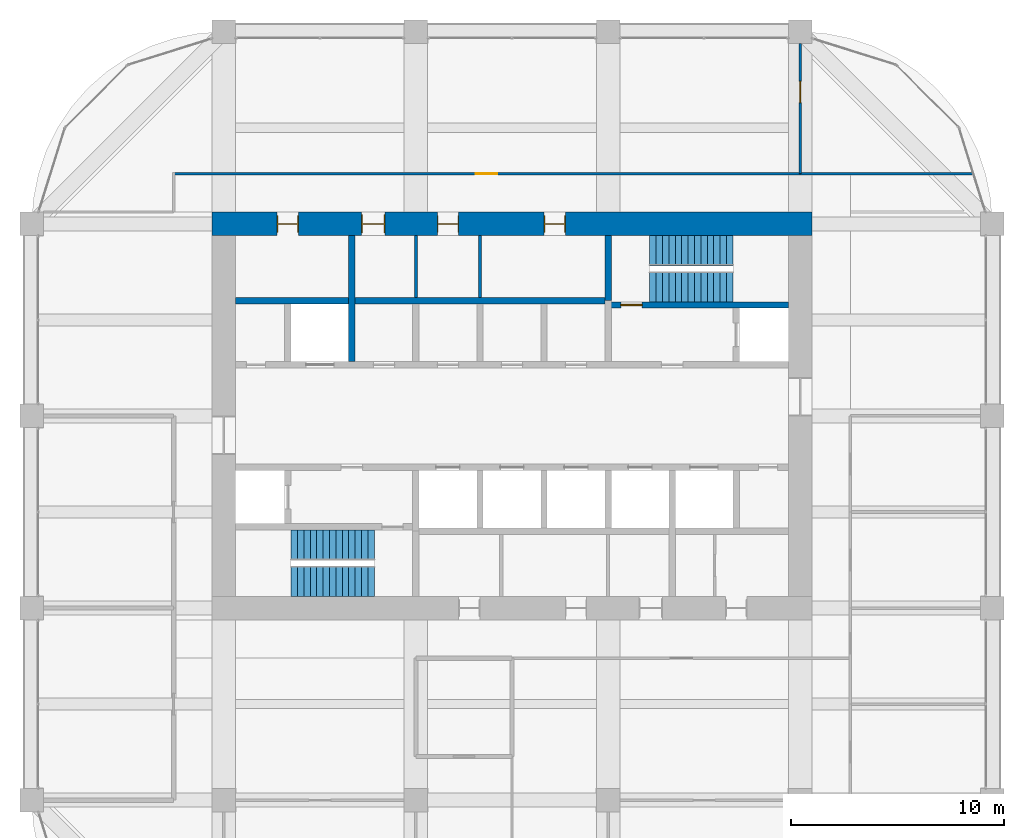
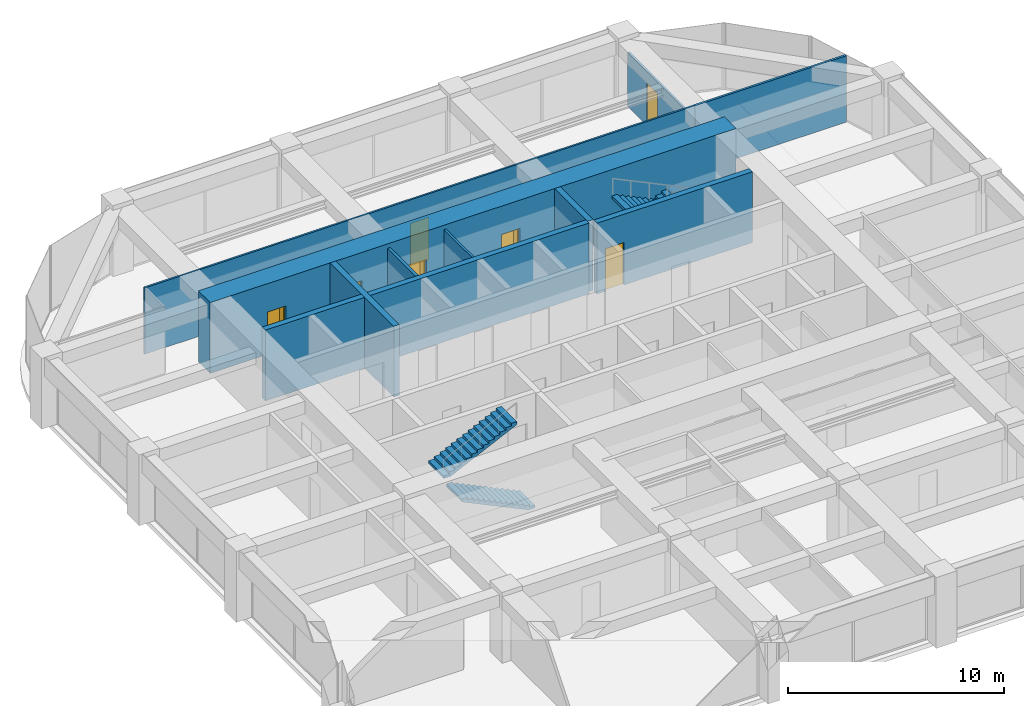
# One storey, part 43 of 44: 10 walls, 7 doors, 4 stair flights, 7 openings, 2 elements without a shape of their own.
"""IFC4 building model written with IfcOpenShell, lengths in metres."""

import ifcopenshell
import ifcopenshell.guid

model = None  # the IFC model being written
_history = None  # IfcOwnerHistory: only IFC2X3 demands one
_inside = {}  # id of a spatial element -> (the spatial element, [elements in it])
_under = {}  # id of a project, library or spatial element -> (it, [spatial elements below it])
_declared = {}  # id of a project -> (the project, [libraries it declares])
_typed = {}  # id of a type object -> (the type object, [elements of that type])
_made_of = {}  # id of a material, layer set ... -> (it, [elements and type objects made of it])


def new_model(schema):
    """Start an empty IFC model of exactly this schema.

    Asked for "IFC4X3", IfcOpenShell would pick the latest addendum, in which some entities
    have other attributes; the version numbers below select the first issue.
    IFC2X3 requires an IfcOwnerHistory on every rooted entity: one is made here for all.
    """
    global model, _history
    if schema == "IFC4X3":
        model = ifcopenshell.file(schema_version=(4, 3, 0, 0))
    else:
        model = ifcopenshell.file(schema=schema)
    _inside.clear()
    _under.clear()
    _declared.clear()
    _typed.clear()
    _made_of.clear()
    _history = None
    if model.schema == "IFC2X3":
        org = make("IfcOrganization", Name="unknown")
        user = make(
            "IfcPersonAndOrganization",
            ThePerson=make("IfcPerson", FamilyName="unknown"),
            TheOrganization=org,
        )
        app = make(
            "IfcApplication",
            ApplicationDeveloper=org,
            Version="unknown",
            ApplicationFullName="unknown",
            ApplicationIdentifier="unknown",
        )
        _history = make(
            "IfcOwnerHistory",
            OwningUser=user,
            OwningApplication=app,
            ChangeAction="ADDED",
            CreationDate=0,
        )
    return model


def make(cls, **values):
    """One entity of the class cls with the attributes given. An attribute that is None is left unset."""
    return model.create_entity(
        cls, **{name: value for name, value in values.items() if value is not None}
    )


def rooted(cls, **values):
    """An entity with a GlobalId (a new one), such as an element, a storey or a relation."""
    return make(cls, GlobalId=ifcopenshell.guid.new(), OwnerHistory=_history, **values)


def si_unit(unit_type, name, prefix=None):
    """IfcSIUnit, for example si_unit("LENGTHUNIT", "METRE", prefix="MILLI")."""
    return make("IfcSIUnit", UnitType=unit_type, Prefix=prefix, Name=name)


def assignment(units):
    """IfcUnitAssignment: the units of a project."""
    return None if units is None else make("IfcUnitAssignment", Units=units)


def point(xyz):
    """IfcCartesianPoint."""
    return None if xyz is None else make("IfcCartesianPoint", Coordinates=xyz)


def direction(xyz):
    """IfcDirection."""
    return None if xyz is None else make("IfcDirection", DirectionRatios=xyz)


def frame(location, z_axis=None, x_axis=None):
    """IfcAxis2Placement3D, a coordinate frame: its origin and axes. An axis left out is left unset."""
    return make(
        "IfcAxis2Placement3D",
        Location=point(location),
        Axis=direction(z_axis),
        RefDirection=direction(x_axis),
    )


def frame_2d(location, x_axis=None):
    """IfcAxis2Placement2D, a coordinate frame in the plane: its origin and x axis."""
    return make(
        "IfcAxis2Placement2D", Location=point(location), RefDirection=direction(x_axis)
    )


def origin():
    """The frame at (0, 0, 0) with its axes left unset."""
    return frame((0.0, 0.0, 0.0))


def place(relative_to, where):
    """IfcLocalPlacement: puts the frame where relative to a parent placement (None: the world)."""
    return make(
        "IfcLocalPlacement", PlacementRelTo=relative_to, RelativePlacement=where
    )


def context(
    kind, dimensions, precision=None, world=None, true_north=None, identifier=None
):
    """IfcGeometricRepresentationContext, for example the 3D "Model" context."""
    return make(
        "IfcGeometricRepresentationContext",
        ContextIdentifier=identifier,
        ContextType=kind,
        CoordinateSpaceDimension=dimensions,
        Precision=precision,
        WorldCoordinateSystem=world,
        TrueNorth=true_north,
    )


def subcontext(parent, identifier, kind, view, scale=None):
    """IfcGeometricRepresentationSubContext, for example "Body" below "Model"."""
    return make(
        "IfcGeometricRepresentationSubContext",
        ContextIdentifier=identifier,
        ContextType=kind,
        ParentContext=parent,
        TargetScale=scale,
        TargetView=view,
    )


def project(units=None, contexts=None):
    """IfcProject with its units and contexts."""
    return rooted(
        "IfcProject",
        Name="project",
        RepresentationContexts=contexts,
        UnitsInContext=assignment(units),
    )


def spatial(cls, under=None, at=None, **own):
    """A site, building, storey or space (cls), placed at a placement, below another one or the project."""
    s = rooted(cls, ObjectPlacement=at, **own)
    if under is not None:
        _under.setdefault(under.id(), (under, []))[1].append(s)
    return s


def polyline(points):
    """IfcPolyline through the points."""
    return make("IfcPolyline", Points=[point(p) for p in points])


def profile(cls, at=None, kind="AREA", **sizes):
    """A parametric profile (cls). Its sizes go by their IFC names, for example OverallWidth=200.0."""
    return make(cls, ProfileType=kind, Position=at, **sizes)


def rectangle(**sizes):
    """IfcRectangleProfileDef."""
    return profile("IfcRectangleProfileDef", **sizes)


def outline(outer, holes=None, kind="AREA"):
    """IfcArbitraryClosedProfileDef: a profile drawn as a closed curve; with holes, ...WithVoids."""
    if holes is None:
        return make("IfcArbitraryClosedProfileDef", ProfileType=kind, OuterCurve=outer)
    return make(
        "IfcArbitraryProfileDefWithVoids",
        ProfileType=kind,
        OuterCurve=outer,
        InnerCurves=holes,
    )


def extrude(swept, where, along, depth):
    """IfcExtrudedAreaSolid: the profile swept, set in the frame where, extruded along a direction by depth."""
    return make(
        "IfcExtrudedAreaSolid",
        SweptArea=swept,
        Position=where,
        ExtrudedDirection=direction(along),
        Depth=depth,
    )


def shape(context_of_items, identifier, shape_type, items):
    """IfcShapeRepresentation: the items that make up one representation, for example the "Body"."""
    return make(
        "IfcShapeRepresentation",
        ContextOfItems=context_of_items,
        RepresentationIdentifier=identifier,
        RepresentationType=shape_type,
        Items=items,
    )


def material(Name=None, Category=None):
    """IfcMaterial."""
    return make("IfcMaterial", Name=Name, Category=Category)


def layer(
    of_material, thickness, ventilated=None, Name=None, Category=None, Priority=None
):
    """IfcMaterialLayer: one layer of a wall or slab, of a material (None: an air gap)."""
    return make(
        "IfcMaterialLayer",
        Material=of_material,
        LayerThickness=thickness,
        IsVentilated=ventilated,
        Name=Name,
        Category=Category,
        Priority=Priority,
    )


def layer_set(layers, Name=None):
    """IfcMaterialLayerSet."""
    return make("IfcMaterialLayerSet", MaterialLayers=layers, LayerSetName=Name)


def made_of(thing, what):
    """Note that an element or type object is made of a material, layer set ...; save() writes the relation."""
    if what is not None:
        _made_of.setdefault(what.id(), (what, []))[1].append(thing)
    return thing


def type_object(cls, material=None, **own):
    """A type object (cls), such as IfcWallType, which elements share."""
    return made_of(rooted(cls, **own), material)


def element(
    cls,
    number,
    at=None,
    inside=None,
    cuts=None,
    type_object=None,
    material=None,
    context=None,
    identifier="Body",
    shape_type=None,
    held_by="IfcProductDefinitionShape",
    body=None,
    shapes=None,
    **own,
):
    """One element of the class cls, such as IfcWall. Its Tag is "e" and its number.

    at: its placement. inside: the storey or other place that contains it. cuts: it is an
    opening in that element (IfcRelVoidsElement). A single representation is given by context,
    identifier, shape_type and body (its items); several are given by shapes. held_by: the class
    of the entity that holds the representations. save() writes the other relations.
    """
    e = rooted(cls, Tag="e%d" % number, ObjectPlacement=at, **own)
    if body is not None:
        shapes = [shape(context, identifier, shape_type, body)]
    if shapes is not None:
        e.Representation = make(held_by, Representations=shapes)
    if inside is not None:
        _inside.setdefault(inside.id(), (inside, []))[1].append(e)
    if cuts is not None:
        rooted(
            "IfcRelVoidsElement", RelatingBuildingElement=cuts, RelatedOpeningElement=e
        )
    if type_object is not None:
        _typed.setdefault(type_object.id(), (type_object, []))[1].append(e)
    return made_of(e, material)


def fill(opening, filler):
    """IfcRelFillsElement: the door or window that sits in an opening."""
    return rooted(
        "IfcRelFillsElement",
        RelatingOpeningElement=opening,
        RelatedBuildingElement=filler,
    )


def aggregate(whole, parts):
    """IfcRelAggregates: a whole, such as a stair, and the parts it consists of."""
    return rooted("IfcRelAggregates", RelatingObject=whole, RelatedObjects=parts)


def save(model, path):
    """Write the relations noted so far, then the file.

    IfcRelAggregates (storeys below a building ...), IfcRelContainedInSpatialStructure (elements
    in a storey), IfcRelDefinesByType, IfcRelAssociatesMaterial and IfcRelDeclares: one each for
    every whole, place, type object, material and project.
    """
    for whole, parts in _under.values():
        aggregate(whole, parts)
    for where, things in _inside.values():
        rooted(
            "IfcRelContainedInSpatialStructure",
            RelatedElements=things,
            RelatingStructure=where,
        )
    for kind, things in _typed.values():
        rooted("IfcRelDefinesByType", RelatedObjects=things, RelatingType=kind)
    for what, things in _made_of.values():
        rooted("IfcRelAssociatesMaterial", RelatedObjects=things, RelatingMaterial=what)
    for by, libraries in _declared.values():
        rooted("IfcRelDeclares", RelatingContext=by, RelatedDefinitions=libraries)
    model.write(path)


model = new_model("IFC4")

# Units and contexts
model_context = context("Model", 3, precision=1e-05, world=origin(), true_north=direction((0.0, 1.0)))
body_context = subcontext(model_context, "Body", "Model", "MODEL_VIEW")
ifc_project = project(units=[si_unit("LENGTHUNIT", "METRE"), si_unit("AREAUNIT", "SQUARE_METRE"), si_unit("VOLUMEUNIT", "CUBIC_METRE"), si_unit("PLANEANGLEUNIT", "RADIAN"), si_unit("MASSUNIT", "GRAM", prefix="KILO")], contexts=[model_context])

# Site, building, storey
site_placement = place(None, origin())
site = spatial("IfcSite", under=ifc_project, at=site_placement, CompositionType="ELEMENT")
building_placement = place(site_placement, origin())
building = spatial("IfcBuilding", under=site, at=building_placement, Name="Zorevar Civic Tower", CompositionType="ELEMENT")
storey_placement = place(building_placement, frame((0.0, 0.0, 267.39990234375)))
storey = spatial("IfcBuildingStorey", under=building, at=storey_placement, Name="L65", CompositionType="ELEMENT", Elevation=267.39990234375)

# Wall, openings, doors
ifc_material_1 = material(Name="Concrete C50/60", Category="concrete")
ifc_layer_1 = layer(ifc_material_1, 1.10009765625)
ifc_layer_set_1 = layer_set([ifc_layer_1], Name="Core wall 1100")
wall_type_1 = type_object("IfcWallType", Name="Core wall 1100", PredefinedType="SHEAR", material=ifc_layer_set_1)
wall_1_placement = place(storey_placement, frame((45.550048828125, 36.0, 0.0), z_axis=(0.0, 0.0, 1.0), x_axis=(-1.0, 0.0, 0.0)))
wall_1 = element("IfcWall", 1, at=wall_1_placement, inside=storey, type_object=wall_type_1, Name="Core wall N L65", PredefinedType="SHEAR", context=body_context, shape_type="SweptSolid", body=[
    extrude(rectangle(XDim=28.10009765625, YDim=1.10009765625, at=frame_2d((14.050048828125, 0.0))), origin(), (0.0, 0.0, 1.0), 4.0),
])
opening_1_placement = place(wall_1_placement, frame((11.550048828125, 0.0, 0.0)))
opening_1 = element("IfcOpeningElement", 2, at=opening_1_placement, cuts=wall_1, Name="Opening L65.07", PredefinedType="OPENING", context=body_context, shape_type="SweptSolid", body=[
    extrude(rectangle(XDim=1.0, YDim=2.39990234375, at=frame_2d((0.5, 1.199951171875))), frame((0.0, 0.56005859375, 0.0), z_axis=(0.0, -1.0, 0.0), x_axis=(1.0, 0.0, 0.0)), (0.0, 0.0, 1.0), 1.1201171875),
])
opening_2_placement = place(wall_1_placement, frame((16.550048828125, 0.0, 0.0)))
opening_2 = element("IfcOpeningElement", 3, at=opening_2_placement, cuts=wall_1, Name="Opening L65.08", PredefinedType="OPENING", context=body_context, shape_type="SweptSolid", body=[
    extrude(rectangle(XDim=1.0, YDim=2.39990234375, at=frame_2d((0.5, 1.199951171875))), frame((0.0, 0.56005859375, 0.0), z_axis=(0.0, -1.0, 0.0), x_axis=(1.0, 0.0, 0.0)), (0.0, 0.0, 1.0), 1.1201171875),
])
opening_3_placement = place(wall_1_placement, frame((20.0, 0.0, 0.0)))
opening_3 = element("IfcOpeningElement", 4, at=opening_3_placement, cuts=wall_1, Name="Opening L65.09", PredefinedType="OPENING", context=body_context, shape_type="SweptSolid", body=[
    extrude(rectangle(XDim=1.10009765625, YDim=2.39990234375, at=frame_2d((0.550048828125, 1.199951171875))), frame((0.0, 0.56005859375, 0.0), z_axis=(0.0, -1.0, 0.0), x_axis=(1.0, 0.0, 0.0)), (0.0, 0.0, 1.0), 1.1201171875),
])
opening_4_placement = place(wall_1_placement, frame((24.050048828125, 0.0, 0.0)))
opening_4 = element("IfcOpeningElement", 5, at=opening_4_placement, cuts=wall_1, Name="Opening L65.10", PredefinedType="OPENING", context=body_context, shape_type="SweptSolid", body=[
    extrude(rectangle(XDim=1.0, YDim=2.39990234375, at=frame_2d((0.5, 1.199951171875))), frame((0.0, 0.56005859375, 0.0), z_axis=(0.0, -1.0, 0.0), x_axis=(1.0, 0.0, 0.0)), (0.0, 0.0, 1.0), 1.1201171875),
])
ifc_material_2 = material(Name="Timber door set", Category="wood")
door_type_1 = type_object("IfcDoorType", Name="Door D1 1000x2400", OperationType="SINGLE_SWING_LEFT", PredefinedType="DOOR", material=ifc_material_2)
door_1_placement = place(opening_1_placement, origin())
door_1 = element("IfcDoor", 6, at=door_1_placement, inside=storey, type_object=door_type_1, Name="Door L65 06", OperationType="SINGLE_SWING_LEFT", OverallHeight=2.39990234375, OverallWidth=1.0, PredefinedType="DOOR", context=body_context, shape_type="SweptSolid", body=[
    extrude(rectangle(XDim=1.0, YDim=2.39990234375, at=frame_2d((0.5, 1.199951171875))), frame((0.0, 0.02490234375, 0.0), z_axis=(0.0, -1.0, 0.0), x_axis=(1.0, 0.0, 0.0)), (0.0, 0.0, 1.0), 0.050048828125),
    extrude(rectangle(XDim=0.04, YDim=2.39990234375, at=frame_2d((0.02001953125, 1.199951171875))), frame((0.0, 0.39990234375, 0.0), z_axis=(0.0, -1.0, 0.0), x_axis=(1.0, 0.0, 0.0)), (0.0, 0.0, 1.0), 0.800048828125),
    extrude(rectangle(XDim=0.04, YDim=2.39990234375, at=frame_2d((0.97998046875, 1.199951171875))), frame((0.0, 0.39990234375, 0.0), z_axis=(0.0, -1.0, 0.0), x_axis=(1.0, 0.0, 0.0)), (0.0, 0.0, 1.0), 0.800048828125),
    extrude(rectangle(XDim=1.0, YDim=0.04, at=frame_2d((0.5, 2.3798828125))), frame((0.0, 0.39990234375, 0.0), z_axis=(0.0, -1.0, 0.0), x_axis=(1.0, 0.0, 0.0)), (0.0, 0.0, 1.0), 0.800048828125),
])
fill(opening_1, door_1)
door_2_placement = place(opening_2_placement, origin())
door_2 = element("IfcDoor", 7, at=door_2_placement, inside=storey, type_object=door_type_1, Name="Door L65 07", OperationType="SINGLE_SWING_RIGHT", OverallHeight=2.39990234375, OverallWidth=1.0, PredefinedType="DOOR", context=body_context, shape_type="SweptSolid", body=[
    extrude(rectangle(XDim=1.0, YDim=2.39990234375, at=frame_2d((0.5, 1.199951171875))), frame((0.0, 0.02490234375, 0.0), z_axis=(0.0, -1.0, 0.0), x_axis=(1.0, 0.0, 0.0)), (0.0, 0.0, 1.0), 0.050048828125),
    extrude(rectangle(XDim=0.04, YDim=2.39990234375, at=frame_2d((0.02001953125, 1.199951171875))), frame((0.0, 0.39990234375, 0.0), z_axis=(0.0, -1.0, 0.0), x_axis=(1.0, 0.0, 0.0)), (0.0, 0.0, 1.0), 0.800048828125),
    extrude(rectangle(XDim=0.04, YDim=2.39990234375, at=frame_2d((0.97998046875, 1.199951171875))), frame((0.0, 0.39990234375, 0.0), z_axis=(0.0, -1.0, 0.0), x_axis=(1.0, 0.0, 0.0)), (0.0, 0.0, 1.0), 0.800048828125),
    extrude(rectangle(XDim=1.0, YDim=0.04, at=frame_2d((0.5, 2.3798828125))), frame((0.0, 0.39990234375, 0.0), z_axis=(0.0, -1.0, 0.0), x_axis=(1.0, 0.0, 0.0)), (0.0, 0.0, 1.0), 0.800048828125),
])
fill(opening_2, door_2)
door_3_placement = place(opening_4_placement, origin())
door_3 = element("IfcDoor", 8, at=door_3_placement, inside=storey, type_object=door_type_1, Name="Door L65 09", OperationType="SINGLE_SWING_RIGHT", OverallHeight=2.39990234375, OverallWidth=1.0, PredefinedType="DOOR", context=body_context, shape_type="SweptSolid", body=[
    extrude(rectangle(XDim=1.0, YDim=2.39990234375, at=frame_2d((0.5, 1.199951171875))), frame((0.0, 0.02490234375, 0.0), z_axis=(0.0, -1.0, 0.0), x_axis=(1.0, 0.0, 0.0)), (0.0, 0.0, 1.0), 0.050048828125),
    extrude(rectangle(XDim=0.04, YDim=2.39990234375, at=frame_2d((0.02001953125, 1.199951171875))), frame((0.0, 0.39990234375, 0.0), z_axis=(0.0, -1.0, 0.0), x_axis=(1.0, 0.0, 0.0)), (0.0, 0.0, 1.0), 0.800048828125),
    extrude(rectangle(XDim=0.04, YDim=2.39990234375, at=frame_2d((0.97998046875, 1.199951171875))), frame((0.0, 0.39990234375, 0.0), z_axis=(0.0, -1.0, 0.0), x_axis=(1.0, 0.0, 0.0)), (0.0, 0.0, 1.0), 0.800048828125),
    extrude(rectangle(XDim=1.0, YDim=0.04, at=frame_2d((0.5, 2.3798828125))), frame((0.0, 0.39990234375, 0.0), z_axis=(0.0, -1.0, 0.0), x_axis=(1.0, 0.0, 0.0)), (0.0, 0.0, 1.0), 0.800048828125),
])
fill(opening_4, door_3)
ifc_material_3 = material(Name="Timber door set", Category="wood")
door_type_2 = type_object("IfcDoorType", Name="Door D5 1100x2400", OperationType="SINGLE_SWING_LEFT", PredefinedType="DOOR", material=ifc_material_3)
door_4_placement = place(opening_3_placement, origin())
door_4 = element("IfcDoor", 9, at=door_4_placement, inside=storey, type_object=door_type_2, Name="Door L65 08", OperationType="SINGLE_SWING_RIGHT", OverallHeight=2.39990234375, OverallWidth=1.10009765625, PredefinedType="DOOR", context=body_context, shape_type="SweptSolid", body=[
    extrude(rectangle(XDim=1.10009765625, YDim=2.39990234375, at=frame_2d((0.550048828125, 1.199951171875))), frame((0.0, 0.02490234375, 0.0), z_axis=(0.0, -1.0, 0.0), x_axis=(1.0, 0.0, 0.0)), (0.0, 0.0, 1.0), 0.050048828125),
    extrude(rectangle(XDim=0.04, YDim=2.39990234375, at=frame_2d((0.02001953125, 1.199951171875))), frame((0.0, 0.43994140625, 0.0), z_axis=(0.0, -1.0, 0.0), x_axis=(1.0, 0.0, 0.0)), (0.0, 0.0, 1.0), 0.880126953125),
    extrude(rectangle(XDim=0.04, YDim=2.39990234375, at=frame_2d((1.080078125, 1.199951171875))), frame((0.0, 0.43994140625, 0.0), z_axis=(0.0, -1.0, 0.0), x_axis=(1.0, 0.0, 0.0)), (0.0, 0.0, 1.0), 0.880126953125),
    extrude(rectangle(XDim=1.10009765625, YDim=0.04, at=frame_2d((0.550048828125, 2.3798828125))), frame((0.0, 0.43994140625, 0.0), z_axis=(0.0, -1.0, 0.0), x_axis=(1.0, 0.0, 0.0)), (0.0, 0.0, 1.0), 0.880126953125),
])
fill(opening_3, door_4)

# Wall, opening, door
ifc_material_4 = material(Name="Laminated glass in black aluminium frame", Category="aluminium")
ifc_layer_2 = layer(ifc_material_4, 0.10009765625)
ifc_layer_set_2 = layer_set([ifc_layer_2], Name="Glazed partition 100")
wall_type_2 = type_object("IfcWallType", Name="Glazed partition 100", PredefinedType="PARTITIONING", material=ifc_layer_set_2)
wall_2_placement = place(storey_placement, frame((15.60009765625, 38.35009765625, 0.0), z_axis=(0.0, 0.0, 1.0), x_axis=(1.0, 0.0, 0.0)))
wall_2 = element("IfcWall", 10, at=wall_2_placement, inside=storey, type_object=wall_type_2, Name="Glazed partition 100 L65", PredefinedType="PARTITIONING", context=body_context, shape_type="SweptSolid", body=[
    extrude(rectangle(XDim=29.39990234375, YDim=0.10009765625, at=frame_2d((14.699951171875, 0.0))), origin(), (0.0, 0.0, 1.0), 3.75),
])
opening_5_placement = place(wall_2_placement, frame((14.199951171875, 0.0, 0.0)))
opening_5 = element("IfcOpeningElement", 11, at=opening_5_placement, cuts=wall_2, Name="Opening L65.21", PredefinedType="OPENING", context=body_context, shape_type="SweptSolid", body=[
    extrude(rectangle(XDim=1.0, YDim=2.39990234375, at=frame_2d((0.5, 1.199951171875))), frame((0.0, 0.06005859375, 0.0), z_axis=(0.0, -1.0, 0.0), x_axis=(1.0, 0.0, 0.0)), (0.0, 0.0, 1.0), 0.1201171875),
])
ifc_material_5 = material(Name="Timber door set", Category="wood")
door_type_3 = type_object("IfcDoorType", Name="Glazed door GD1 1000x2400", OperationType="SINGLE_SWING_LEFT", PredefinedType="DOOR", material=ifc_material_5)
door_5_placement = place(opening_5_placement, origin())
door_5 = element("IfcDoor", 12, at=door_5_placement, inside=storey, type_object=door_type_3, Name="Door L65 D1", OperationType="SINGLE_SWING_LEFT", OverallHeight=2.39990234375, OverallWidth=1.0, PredefinedType="DOOR", context=body_context, shape_type="SweptSolid", body=[
    extrude(rectangle(XDim=1.0, YDim=2.39990234375, at=frame_2d((0.5, 1.199951171875))), frame((0.0, 0.02001953125, 0.0), z_axis=(0.0, -1.0, 0.0), x_axis=(1.0, 0.0, 0.0)), (0.0, 0.0, 1.0), 0.0400390625),
])
fill(opening_5, door_5)

ifc_material_6 = material(Name="Concrete C40/50", Category="concrete")
ifc_layer_3 = layer(ifc_material_6, 0.300048828125)
ifc_layer_set_3 = layer_set([ifc_layer_3], Name="Inner core wall 300")
wall_type_3 = type_object("IfcWallType", Name="Inner core wall 300", PredefinedType="SHEAR", material=ifc_layer_set_3)
wall_3_placement = place(storey_placement, frame((36.14990234375, 32.199951171875, 0.0), z_axis=(0.0, 0.0, 1.0), x_axis=(1.0, 0.0, 0.0)))
wall_3 = element("IfcWall", 13, at=wall_3_placement, inside=storey, type_object=wall_type_3, Name="Inner core wall N00 L65", PredefinedType="SHEAR", context=body_context, shape_type="SweptSolid", body=[
    extrude(rectangle(XDim=8.300048828125, YDim=0.300048828125, at=frame_2d((4.14990234375, 0.0))), origin(), (0.0, 0.0, 1.0), 4.0),
])
opening_6_placement = place(wall_3_placement, frame((0.449951171875, 0.0, 0.0)))
opening_6 = element("IfcOpeningElement", 14, at=opening_6_placement, cuts=wall_3, Name="Opening L65.12", PredefinedType="OPENING", context=body_context, shape_type="SweptSolid", body=[
    extrude(rectangle(XDim=1.0, YDim=2.39990234375, at=frame_2d((0.5, 1.199951171875))), frame((0.0, 0.159912109375, 0.0), z_axis=(0.0, -1.0, 0.0), x_axis=(1.0, 0.0, 0.0)), (0.0, 0.0, 1.0), 0.320068359375),
])
ifc_material_7 = material(Name="Steel door set", Category="steel")
door_type_4 = type_object("IfcDoorType", Name="Fire door FD1 1000x2400", OperationType="SINGLE_SWING_LEFT", PredefinedType="DOOR", material=ifc_material_7)
door_6_placement = place(opening_6_placement, origin())
door_6 = element("IfcDoor", 15, at=door_6_placement, inside=storey, type_object=door_type_4, Name="Door L65 11", OperationType="SINGLE_SWING_RIGHT", OverallHeight=2.39990234375, OverallWidth=1.0, PredefinedType="DOOR", context=body_context, shape_type="SweptSolid", body=[
    extrude(rectangle(XDim=1.0, YDim=2.39990234375, at=frame_2d((0.5, 1.199951171875))), frame((0.0, 0.030029296875, 0.0), z_axis=(0.0, -1.0, 0.0), x_axis=(1.0, 0.0, 0.0)), (0.0, 0.0, 1.0), 0.06005859375),
])
fill(opening_6, door_6)

# Walls
wall_4_placement = place(storey_placement, frame((36.0, 32.39990234375, 0.0), z_axis=(0.0, 0.0, 1.0), x_axis=(0.0, 1.0, 0.0)))
element("IfcWall", 16, at=wall_4_placement, inside=storey, type_object=wall_type_3, Name="Inner core wall N01 L65", PredefinedType="SHEAR", context=body_context, shape_type="SweptSolid", body=[
    extrude(rectangle(XDim=3.050048828125, YDim=0.300048828125, at=frame_2d((1.52490234375, 0.0))), origin(), (0.0, 0.0, 1.0), 4.0),
])
wall_5_placement = place(storey_placement, frame((18.550048828125, 32.39990234375, 0.0), z_axis=(0.0, 0.0, 1.0), x_axis=(1.0, 0.0, 0.0)))
element("IfcWall", 17, at=wall_5_placement, inside=storey, type_object=wall_type_3, Name="Inner core wall N04 L65", PredefinedType="SHEAR", context=body_context, shape_type="SweptSolid", body=[
    extrude(rectangle(XDim=17.300048828125, YDim=0.300048828125, at=frame_2d((8.64990234375, 0.0))), origin(), (0.0, 0.0, 1.0), 4.0),
])
wall_6_placement = place(storey_placement, frame((24.0, 29.550048828125, 0.0), z_axis=(0.0, 0.0, 1.0), x_axis=(0.0, 1.0, 0.0)))
element("IfcWall", 18, at=wall_6_placement, inside=storey, type_object=wall_type_3, Name="Inner core wall N08 L65", PredefinedType="SHEAR", context=body_context, shape_type="SweptSolid", body=[
    extrude(rectangle(XDim=5.89990234375, YDim=0.300048828125, at=frame_2d((2.949951171875, 0.0))), origin(), (0.0, 0.0, 1.0), 4.0),
])
ifc_material_8 = material(Name="Gypsum board on steel studs", Category="steel")
ifc_layer_4 = layer(ifc_material_8, 0.1201171875)
ifc_layer_set_4 = layer_set([ifc_layer_4], Name="Partition 120")
wall_type_4 = type_object("IfcWallType", Name="Partition 120", PredefinedType="PARTITIONING", material=ifc_layer_set_4)
wall_7_placement = place(storey_placement, frame((45.0, 38.35009765625, 0.0), z_axis=(0.0, 0.0, 1.0), x_axis=(1.0, 0.0, 0.0)))
element("IfcWall", 19, at=wall_7_placement, inside=storey, type_object=wall_type_4, Name="Partition 120 L65", PredefinedType="PARTITIONING", context=body_context, shape_type="SweptSolid", body=[
    extrude(rectangle(XDim=8.082275390625, YDim=0.1201171875, at=frame_2d((4.041015625, 0.0))), origin(), (0.0, 0.0, 1.0), 3.75),
])

# Wall, opening, door
wall_8_placement = place(storey_placement, frame((45.0, 38.35009765625, 0.0), z_axis=(0.0, 0.0, 1.0), x_axis=(0.0, 1.0, 0.0)))
wall_8 = element("IfcWall", 20, at=wall_8_placement, inside=storey, type_object=wall_type_4, Name="Partition 120 L65", PredefinedType="PARTITIONING", context=body_context, shape_type="SweptSolid", body=[
    extrude(rectangle(XDim=6.099853515625, YDim=0.1201171875, at=frame_2d((3.0498046875, 0.0))), origin(), (0.0, 0.0, 1.0), 3.050048828125),
])
opening_7_placement = place(wall_8_placement, frame((3.324951171875, 0.0, 0.0)))
opening_7 = element("IfcOpeningElement", 21, at=opening_7_placement, cuts=wall_8, Name="Opening L65.24", PredefinedType="OPENING", context=body_context, shape_type="SweptSolid", body=[
    extrude(rectangle(XDim=1.0, YDim=2.39990234375, at=frame_2d((0.5, 1.199951171875))), frame((0.0, 0.070068359375, 0.0), z_axis=(0.0, -1.0, 0.0), x_axis=(1.0, 0.0, 0.0)), (0.0, 0.0, 1.0), 0.14013671875),
])
door_7_placement = place(opening_7_placement, origin())
door_7 = element("IfcDoor", 22, at=door_7_placement, inside=storey, type_object=door_type_1, Name="Door L65 D1", OperationType="SINGLE_SWING_LEFT", OverallHeight=2.39990234375, OverallWidth=1.0, PredefinedType="DOOR", context=body_context, shape_type="SweptSolid", body=[
    extrude(rectangle(XDim=1.0, YDim=2.39990234375, at=frame_2d((0.5, 1.199951171875))), frame((0.0, 0.02490234375, 0.0), z_axis=(0.0, -1.0, 0.0), x_axis=(1.0, 0.0, 0.0)), (0.0, 0.0, 1.0), 0.050048828125),
])
fill(opening_7, door_7)

# Walls
wall_9_placement = place(storey_placement, frame((30.0, 32.550048828125, 0.0), z_axis=(0.0, 0.0, 1.0), x_axis=(0.0, 1.0, 0.0)))
element("IfcWall", 23, at=wall_9_placement, inside=storey, type_object=wall_type_4, Name="Partition L65", PredefinedType="PARTITIONING", context=body_context, shape_type="SweptSolid", body=[
    extrude(rectangle(XDim=2.89990234375, YDim=0.1201171875, at=frame_2d((1.449951171875, 0.0))), origin(), (0.0, 0.0, 1.0), 3.75),
])
ifc_material_9 = material(Name="Gypsum board on steel studs, moisture resistant", Category="steel")
ifc_layer_5 = layer(ifc_material_9, 0.14990234375)
ifc_layer_set_5 = layer_set([ifc_layer_5], Name="WC partition 150")
wall_type_5 = type_object("IfcWallType", Name="WC partition 150", PredefinedType="PARTITIONING", material=ifc_layer_set_5)
wall_10_placement = place(storey_placement, frame((27.0, 32.550048828125, 0.0), z_axis=(0.0, 0.0, 1.0), x_axis=(0.0, 1.0, 0.0)))
element("IfcWall", 24, at=wall_10_placement, inside=storey, type_object=wall_type_5, Name="WC partition L65", PredefinedType="PARTITIONING", context=body_context, shape_type="SweptSolid", body=[
    extrude(rectangle(XDim=2.89990234375, YDim=0.14990234375, at=frame_2d((1.449951171875, 0.0))), origin(), (0.0, 0.0, 1.0), 3.75),
])

# Stair, stair flights
ifc_material_10 = material(Name="Precast concrete C40/50", Category="concrete")
stair_type = type_object("IfcStairType", Name="Stair ST 28R", PredefinedType="HALF_TURN_STAIR", material=ifc_material_10)
stair_1_placement = place(storey_placement, origin())
stair_1 = element("IfcStair", 25, at=stair_1_placement, inside=storey, type_object=stair_type, Name="Stair ST1 L65", PredefinedType="HALF_TURN_STAIR")
ifc_material_11 = material(Name="Precast concrete C40/50", Category="concrete")
stair_flight_type = type_object("IfcStairFlightType", Name="Stair flight", PredefinedType="STRAIGHT", material=ifc_material_11)
stair_flight_1_placement = place(storey_placement, frame((25.050048828125, 19.262451171875, 0.0), z_axis=(0.0, 0.0, 1.0), x_axis=(-1.0, 0.0, 0.0)))
stair_flight_1 = element("IfcStairFlight", 26, at=stair_flight_1_placement, type_object=stair_flight_type, Name="ST1 flight 1", NumberOfRisers=14, NumberOfTreads=13, PredefinedType="STRAIGHT", RiserHeight=0.142857143, TreadLength=0.3, context=body_context, shape_type="SweptSolid", body=[
    extrude(outline(polyline([(0.0, 0.0), (0.0, 0.142822265625), (0.300048828125, 0.142822265625), (0.300048828125, 0.28564453125), (0.60009765625, 0.28564453125), (0.60009765625, 0.428466796875), (0.89990234375, 0.428466796875), (0.89990234375, 0.571533203125), (1.199951171875, 0.571533203125), (1.199951171875, 0.71435546875), (1.5, 0.71435546875), (1.5, 0.857177734375), (1.800048828125, 0.857177734375), (1.800048828125, 1.0), (2.10009765625, 1.0), (2.10009765625, 1.142822265625), (2.39990234375, 1.142822265625), (2.39990234375, 1.28564453125), (2.699951171875, 1.28564453125), (2.699951171875, 1.428466796875), (3.0, 1.428466796875), (3.0, 1.571533203125), (3.300048828125, 1.571533203125), (3.300048828125, 1.71435546875), (3.60009765625, 1.71435546875), (3.60009765625, 1.857177734375), (3.89990234375, 1.857177734375), (3.89990234375, 2.0), (3.89990234375, 1.691162109375), (0.3486328125, 0.0), (0.0, 0.0)])), frame((0.0, 0.71240234375, 0.0), z_axis=(0.0, -1.0, 0.0), x_axis=(1.0, 0.0, 0.0)), (0.0, 0.0, 1.0), 1.425048828125),
])
stair_flight_2_placement = place(storey_placement, frame((21.14990234375, 20.9375, 2.0), z_axis=(0.0, 0.0, 1.0), x_axis=(1.0, 0.0, 0.0)))
stair_flight_2 = element("IfcStairFlight", 27, at=stair_flight_2_placement, type_object=stair_flight_type, Name="ST1 flight 2", NumberOfRisers=14, NumberOfTreads=13, PredefinedType="STRAIGHT", RiserHeight=0.142857143, TreadLength=0.3, context=body_context, shape_type="SweptSolid", body=[
    extrude(outline(polyline([(0.0, 0.0), (0.0, 0.142822265625), (0.300048828125, 0.142822265625), (0.300048828125, 0.28564453125), (0.60009765625, 0.28564453125), (0.60009765625, 0.428466796875), (0.89990234375, 0.428466796875), (0.89990234375, 0.571533203125), (1.199951171875, 0.571533203125), (1.199951171875, 0.71435546875), (1.5, 0.71435546875), (1.5, 0.857177734375), (1.800048828125, 0.857177734375), (1.800048828125, 1.0), (2.10009765625, 1.0), (2.10009765625, 1.142822265625), (2.39990234375, 1.142822265625), (2.39990234375, 1.28564453125), (2.699951171875, 1.28564453125), (2.699951171875, 1.428466796875), (3.0, 1.428466796875), (3.0, 1.571533203125), (3.300048828125, 1.571533203125), (3.300048828125, 1.71435546875), (3.60009765625, 1.71435546875), (3.60009765625, 1.857177734375), (3.89990234375, 1.857177734375), (3.89990234375, 2.0), (3.89990234375, 1.691162109375), (0.3486328125, 0.0), (0.0, 0.0)])), frame((0.0, 0.71240234375, 0.0), z_axis=(0.0, -1.0, 0.0), x_axis=(1.0, 0.0, 0.0)), (0.0, 0.0, 1.0), 1.425048828125),
])
aggregate(stair_1, [stair_flight_1, stair_flight_2])

stair_2_placement = place(storey_placement, origin())
stair_2 = element("IfcStair", 28, at=stair_2_placement, inside=storey, type_object=stair_type, Name="Stair ST2 L65", PredefinedType="HALF_TURN_STAIR")
stair_flight_3_placement = place(storey_placement, frame((37.949951171875, 34.737548828125, 0.0), z_axis=(0.0, 0.0, 1.0), x_axis=(1.0, 0.0, 0.0)))
stair_flight_3 = element("IfcStairFlight", 29, at=stair_flight_3_placement, type_object=stair_flight_type, Name="ST2 flight 1", NumberOfRisers=14, NumberOfTreads=13, PredefinedType="STRAIGHT", RiserHeight=0.142857143, TreadLength=0.3, context=body_context, shape_type="SweptSolid", body=[
    extrude(outline(polyline([(0.0, 0.0), (0.0, 0.142822265625), (0.300048828125, 0.142822265625), (0.300048828125, 0.28564453125), (0.60009765625, 0.28564453125), (0.60009765625, 0.428466796875), (0.89990234375, 0.428466796875), (0.89990234375, 0.571533203125), (1.199951171875, 0.571533203125), (1.199951171875, 0.71435546875), (1.5, 0.71435546875), (1.5, 0.857177734375), (1.800048828125, 0.857177734375), (1.800048828125, 1.0), (2.10009765625, 1.0), (2.10009765625, 1.142822265625), (2.39990234375, 1.142822265625), (2.39990234375, 1.28564453125), (2.699951171875, 1.28564453125), (2.699951171875, 1.428466796875), (3.0, 1.428466796875), (3.0, 1.571533203125), (3.300048828125, 1.571533203125), (3.300048828125, 1.71435546875), (3.60009765625, 1.71435546875), (3.60009765625, 1.857177734375), (3.89990234375, 1.857177734375), (3.89990234375, 2.0), (3.89990234375, 1.691162109375), (0.3486328125, 0.0), (0.0, 0.0)])), frame((0.0, 0.71240234375, 0.0), z_axis=(0.0, -1.0, 0.0), x_axis=(1.0, 0.0, 0.0)), (0.0, 0.0, 1.0), 1.425048828125),
])
stair_flight_4_placement = place(storey_placement, frame((41.85009765625, 33.0625, 2.0), z_axis=(0.0, 0.0, 1.0), x_axis=(-1.0, 0.0, 0.0)))
stair_flight_4 = element("IfcStairFlight", 30, at=stair_flight_4_placement, type_object=stair_flight_type, Name="ST2 flight 2", NumberOfRisers=14, NumberOfTreads=13, PredefinedType="STRAIGHT", RiserHeight=0.142857143, TreadLength=0.3, context=body_context, shape_type="SweptSolid", body=[
    extrude(outline(polyline([(0.0, 0.0), (0.0, 0.142822265625), (0.300048828125, 0.142822265625), (0.300048828125, 0.28564453125), (0.60009765625, 0.28564453125), (0.60009765625, 0.428466796875), (0.89990234375, 0.428466796875), (0.89990234375, 0.571533203125), (1.199951171875, 0.571533203125), (1.199951171875, 0.71435546875), (1.5, 0.71435546875), (1.5, 0.857177734375), (1.800048828125, 0.857177734375), (1.800048828125, 1.0), (2.10009765625, 1.0), (2.10009765625, 1.142822265625), (2.39990234375, 1.142822265625), (2.39990234375, 1.28564453125), (2.699951171875, 1.28564453125), (2.699951171875, 1.428466796875), (3.0, 1.428466796875), (3.0, 1.571533203125), (3.300048828125, 1.571533203125), (3.300048828125, 1.71435546875), (3.60009765625, 1.71435546875), (3.60009765625, 1.857177734375), (3.89990234375, 1.857177734375), (3.89990234375, 2.0), (3.89990234375, 1.691162109375), (0.3486328125, 0.0), (0.0, 0.0)])), frame((0.0, 0.71240234375, 0.0), z_axis=(0.0, -1.0, 0.0), x_axis=(1.0, 0.0, 0.0)), (0.0, 0.0, 1.0), 1.425048828125),
])
aggregate(stair_2, [stair_flight_3, stair_flight_4])

save(model, "model.ifc")
